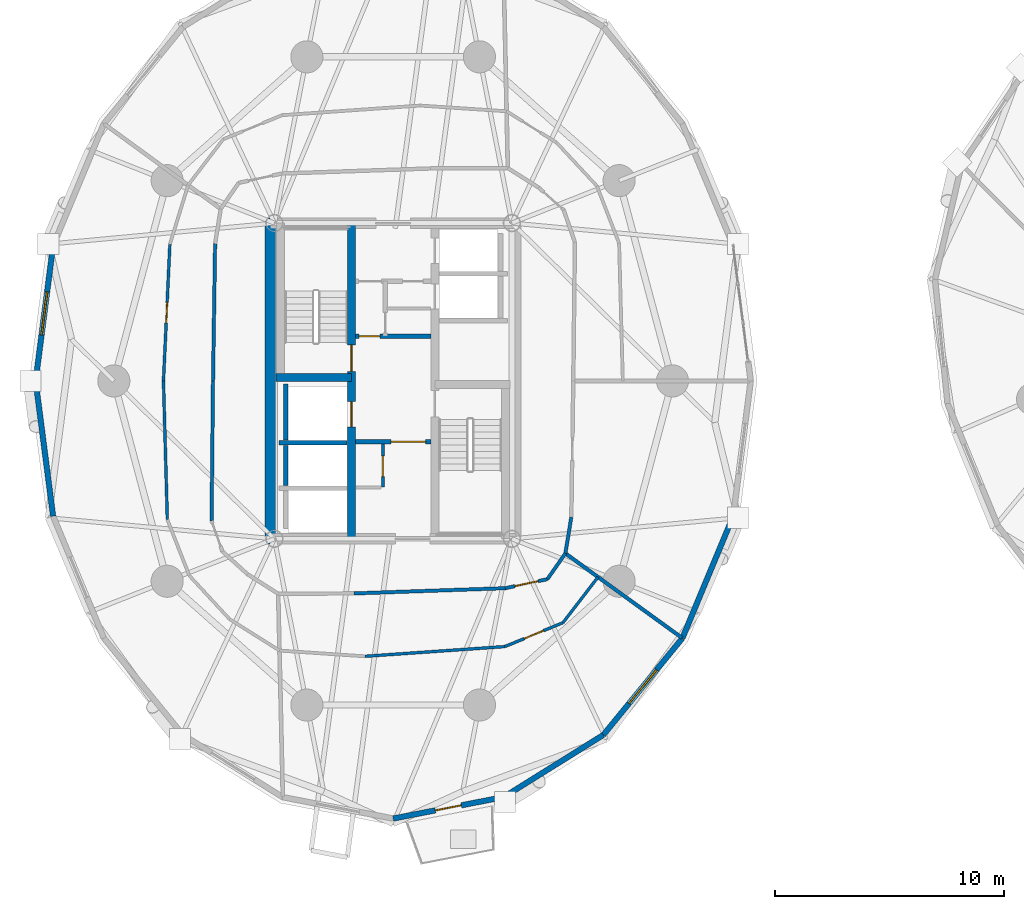
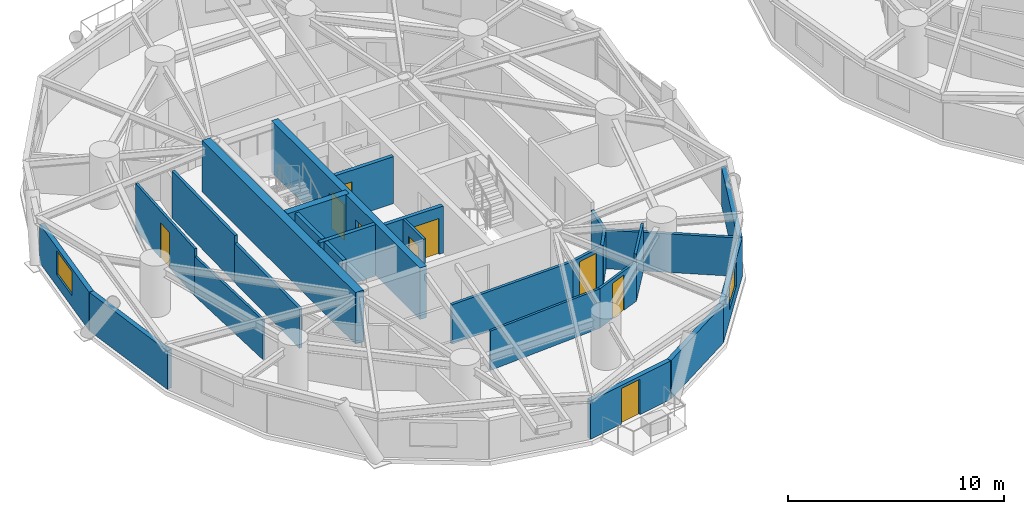
# One storey, part 10 of 18: 27 walls, 9 doors, 2 windows, 11 openings.
"""IFC4 building model written with IfcOpenShell, lengths in metres."""

from ifc_helpers import new_model, si_unit, direction, frame, frame_2d, origin, place, context, subcontext, project, spatial, rectangle, extrude, source, transform, mapped, material, layer, layer_set, type_object, element, fill, save


model = new_model("IFC4")

# Units and contexts
model_context = context("Model", 3, precision=1e-05, world=origin(), true_north=direction((0.0, 1.0)))
body_context = subcontext(model_context, "Body", "Model", "MODEL_VIEW")
ifc_project = project(units=[si_unit("LENGTHUNIT", "METRE"), si_unit("AREAUNIT", "SQUARE_METRE"), si_unit("VOLUMEUNIT", "CUBIC_METRE"), si_unit("PLANEANGLEUNIT", "RADIAN"), si_unit("MASSUNIT", "GRAM", prefix="KILO")], contexts=[model_context])

# Site, building, storey
site_placement = place(None, origin())
site = spatial("IfcSite", under=ifc_project, at=site_placement, CompositionType="ELEMENT")
building_placement = place(site_placement, origin())
building = spatial("IfcBuilding", under=site, at=building_placement, Name="Cununo Teusaquillo Station Towers", CompositionType="ELEMENT")
storey_placement = place(building_placement, frame((0.0, 0.0, 93.429931640625)))
storey = spatial("IfcBuildingStorey", under=building, at=storey_placement, Name="L29", CompositionType="ELEMENT", Elevation=93.429931640625)

# Walls
ifc_material_1 = material(Name="Concrete C50/60", Category="concrete")
ifc_layer_1 = layer(ifc_material_1, 0.199951171875)
ifc_layer_set_1 = layer_set([ifc_layer_1], Name="Concrete C50/60")
wall_type_1 = type_object("IfcWallType", Name="WL-CORE-200", PredefinedType="SHEAR", material=ifc_layer_set_1)
wall_1_placement = place(storey_placement, frame((11.52001953125, 21.800048828125, 0.0), z_axis=(0.0, 0.0, 1.0), x_axis=(1.0, 0.0, 0.0)))
element("IfcWall", 1, at=wall_1_placement, inside=storey, type_object=wall_type_1, Name="L29 Tower A Firefighting Lift Shaft South Shear Wall", PredefinedType="SHEAR", context=body_context, shape_type="SweptSolid", body=[
    extrude(rectangle(XDim=2.969970703125, YDim=0.199951171875, at=frame_2d((1.48486328125, 0.0))), origin(), (0.0, 0.0, 1.0), 2.91015625),
])
wall_2_placement = place(storey_placement, frame((11.820068359375, 21.919921875, 0.0), z_axis=(0.0, 0.0, 1.0), x_axis=(0.0, 1.0, 0.0)))
element("IfcWall", 2, at=wall_2_placement, inside=storey, type_object=wall_type_1, Name="L29 Tower A Firefighting Lift Shaft Rear Shear Wall", PredefinedType="SHEAR", context=body_context, shape_type="SweptSolid", body=[
    extrude(rectangle(XDim=2.440185546875, YDim=0.199951171875, at=frame_2d((1.22021484375, 0.0))), origin(), (0.0, 0.0, 1.0), 2.91015625),
])
wall_3_placement = place(storey_placement, frame((11.820068359375, 19.945068359375, 0.0), z_axis=(0.0, 0.0, 1.0), x_axis=(0.0, 1.0, 0.0)))
element("IfcWall", 3, at=wall_3_placement, inside=storey, type_object=wall_type_1, Name="L29 Tower A High-Rise Lift 2 Shaft Rear Shear Wall", PredefinedType="SHEAR", context=body_context, shape_type="SweptSolid", body=[
    extrude(rectangle(XDim=1.73486328125, YDim=0.199951171875, at=frame_2d((0.867431640625, 0.0))), origin(), (0.0, 0.0, 1.0), 2.91015625),
])

# Wall, openings, doors
ifc_material_2 = material(Name="Concrete C50/60", Category="concrete")
ifc_layer_2 = layer(ifc_material_2, 0.35009765625)
ifc_layer_set_2 = layer_set([ifc_layer_2], Name="Concrete C50/60")
wall_type_2 = type_object("IfcWallType", Name="WL-CORE-350", PredefinedType="SHEAR", material=ifc_layer_set_2)
wall_4_placement = place(storey_placement, frame((14.68505859375, 17.625, 0.0), z_axis=(0.0, 0.0, 1.0), x_axis=(0.0, 1.0, 0.0)))
wall_4 = element("IfcWall", 4, at=wall_4_placement, inside=storey, type_object=wall_type_2, Name="L29 Tower A Core Shear Wall IW", PredefinedType="SHEAR", context=body_context, shape_type="SweptSolid", body=[
    extrude(rectangle(XDim=13.75, YDim=0.35009765625, at=frame_2d((6.875, 0.0))), origin(), (0.0, 0.0, 1.0), 2.91015625),
])
shared_shape_1 = source(origin(), body_context, "Body", "SweptSolid", [
    extrude(rectangle(XDim=1.10009765625, YDim=2.014892578125, at=frame_2d((0.550048828125, 1.00732421875))), frame((0.0, 0.18505859375, 0.0), z_axis=(0.0, -1.0, 0.0), x_axis=(1.0, 0.0, 0.0)), (0.0, 0.0, 1.0), 0.3701171875),
])
opening_1_placement = place(wall_4_placement, frame((4.875, 0.0, 0.0)))
opening_1 = element("IfcOpeningElement", 5, at=opening_1_placement, cuts=wall_4, Name="Opening LD-01", PredefinedType="OPENING", context=body_context, shape_type="MappedRepresentation", body=[
    mapped(shared_shape_1, transform((0.0, 0.0, 0.0), x_axis=(1.0, 0.0, 0.0), y_axis=(0.0, 1.0, 0.0), z_axis=(0.0, 0.0, 1.0), scale=1.0)),
])
shared_shape_2 = source(origin(), body_context, "Body", "SweptSolid", [
    extrude(rectangle(XDim=1.14990234375, YDim=2.02001953125, at=frame_2d((0.574951171875, 1.010009765625))), frame((0.0, 0.18505859375, 0.0), z_axis=(0.0, -1.0, 0.0), x_axis=(1.0, 0.0, 0.0)), (0.0, 0.0, 1.0), 0.3701171875),
])
opening_2_placement = place(wall_4_placement, frame((7.294921875, 0.0, 0.0)))
opening_2 = element("IfcOpeningElement", 6, at=opening_2_placement, cuts=wall_4, Name="Opening D-ST1", PredefinedType="OPENING", context=body_context, shape_type="MappedRepresentation", body=[
    mapped(shared_shape_2, transform((0.0, 0.0, 0.0), x_axis=(1.0, 0.0, 0.0), y_axis=(0.0, 1.0, 0.0), z_axis=(0.0, 0.0, 1.0), scale=1.0)),
])
ifc_material_3 = material(Name="Galvanised fire-rated hollow steel door assembly", Category="steel")
door_type_1 = type_object("IfcDoorType", Name="DR-LIFT-1100", OperationType="SLIDING_TO_LEFT", PredefinedType="DOOR", material=ifc_material_3)
shared_shape_3 = source(origin(), body_context, "Body", "SweptSolid", [
    extrude(rectangle(XDim=1.10009765625, YDim=2.014892578125, at=frame_2d((0.550048828125, 1.00732421875))), frame((0.0, 0.02490234375, 0.0), z_axis=(0.0, -1.0, 0.0), x_axis=(1.0, 0.0, 0.0)), (0.0, 0.0, 1.0), 0.050048828125),
])
door_1_placement = place(opening_1_placement, origin())
door_1 = element("IfcDoor", 7, at=door_1_placement, inside=storey, type_object=door_type_1, Name="L29 Lift FL-T1 Sliding Landing Door", OperationType="SLIDING_TO_RIGHT", OverallHeight=2.014892578125, OverallWidth=1.10009765625, PredefinedType="DOOR", context=body_context, shape_type="MappedRepresentation", body=[
    mapped(shared_shape_3, transform((0.0, 0.0, 0.0), x_axis=(1.0, 0.0, 0.0), y_axis=(0.0, 1.0, 0.0), z_axis=(0.0, 0.0, 1.0), scale=1.0)),
])
fill(opening_1, door_1)
ifc_material_4 = material(Name="Galvanised fire-rated hollow steel door assembly", Category="steel")
door_type_2 = type_object("IfcDoorType", Name="DR-STAIR-1150", OperationType="NOTDEFINED", PredefinedType="DOOR", material=ifc_material_4)
shared_shape_4 = source(origin(), body_context, "Body", "SweptSolid", [
    extrude(rectangle(XDim=1.14990234375, YDim=2.02001953125, at=frame_2d((0.574951171875, 1.010009765625))), frame((0.0, 0.02490234375, 0.0), z_axis=(0.0, -1.0, 0.0), x_axis=(1.0, 0.0, 0.0)), (0.0, 0.0, 1.0), 0.050048828125),
])
door_2_placement = place(opening_2_placement, origin())
door_2 = element("IfcDoor", 8, at=door_2_placement, inside=storey, type_object=door_type_2, Name="L29 Tower A Exit Stair 1 Fire Door", OperationType="SINGLE_SWING_LEFT", OverallHeight=2.02001953125, OverallWidth=1.14990234375, PredefinedType="DOOR", context=body_context, shape_type="MappedRepresentation", body=[
    mapped(shared_shape_4, transform((0.0, 0.0, 0.0), x_axis=(1.0, 0.0, 0.0), y_axis=(0.0, 1.0, 0.0), z_axis=(0.0, 0.0, 1.0), scale=1.0)),
])
fill(opening_2, door_2)

# Walls
wall_5_placement = place(storey_placement, frame((11.39990234375, 24.655029296875, 0.0), z_axis=(0.0, 0.0, 1.0), x_axis=(1.0, 0.0, 0.0)))
element("IfcWall", 9, at=wall_5_placement, inside=storey, type_object=wall_type_2, Name="L29 Tower A Core Shear Wall ST1S", PredefinedType="SHEAR", context=body_context, shape_type="SweptSolid", body=[
    extrude(rectangle(XDim=3.28515625, YDim=0.35009765625, at=frame_2d((1.642578125, 0.0))), origin(), (0.0, 0.0, 1.0), 2.91015625),
])
ifc_material_5 = material(Name="Concrete C60/75", Category="concrete")
ifc_layer_3 = layer(ifc_material_5, 0.449951171875)
ifc_layer_set_3 = layer_set([ifc_layer_3], Name="Concrete C60/75")
wall_type_3 = type_object("IfcWallType", Name="WL-CORE-450", PredefinedType="SHEAR", material=ifc_layer_set_3)
wall_6_placement = place(storey_placement, frame((11.14990234375, 17.39990234375, 0.0), z_axis=(0.0, 0.0, 1.0), x_axis=(0.0, 1.0, 0.0)))
element("IfcWall", 10, at=wall_6_placement, inside=storey, type_object=wall_type_3, Name="L29 Tower A Core Shear Wall W", PredefinedType="SHEAR", context=body_context, shape_type="SweptSolid", body=[
    extrude(rectangle(XDim=14.2001953125, YDim=0.449951171875, at=frame_2d((7.10009765625, 0.0))), origin(), (0.0, 0.0, 1.0), 2.91015625),
])

# Wall, opening, window
ifc_material_6 = material(Name="Precast concrete C40/50", Category="concrete")
ifc_layer_4 = layer(ifc_material_6, 0.239990234375)
ifc_layer_set_4 = layer_set([ifc_layer_4], Name="Precast concrete C40/50")
wall_type_4 = type_object("IfcWallType", Name="WL-EXT-240", PredefinedType="SOLIDWALL", material=ifc_layer_set_4)
wall_7_placement = place(storey_placement, frame((0.9189453125, 24.5, 0.0), z_axis=(0.0, 0.0, 1.0), x_axis=(0.128351991996, 0.991728675672, 0.0)))
wall_7 = element("IfcWall", 11, at=wall_7_placement, inside=storey, type_object=wall_type_4, Name="L29 Tower A Exterior Facade Wall C09", PredefinedType="SOLIDWALL", context=body_context, shape_type="SweptSolid", body=[
    extrude(rectangle(XDim=5.942138671875, YDim=0.239990234375, at=frame_2d((2.97119140625, 0.0))), origin(), (0.0, 0.0, 1.0), 2.178955078125),
])
shared_shape_5 = source(origin(), body_context, "Body", "SweptSolid", [
    extrude(rectangle(XDim=1.89990234375, YDim=1.35009765625, at=frame_2d((0.949951171875, 0.675048828125))), frame((0.0, 0.1298828125, 0.0), z_axis=(0.0, -1.0, 0.0), x_axis=(1.0, 0.0, 0.0)), (0.0, 0.0, 1.0), 0.260009765625),
])
opening_3_placement = place(wall_7_placement, frame((2.02099609375, 0.0, 0.64990234375)))
opening_3 = element("IfcOpeningElement", 12, at=opening_3_placement, cuts=wall_7, Name="Opening WN-02", PredefinedType="OPENING", context=body_context, shape_type="MappedRepresentation", body=[
    mapped(shared_shape_5, transform((0.0, 0.0, 0.0), x_axis=(1.0, 0.0, 0.0), y_axis=(0.0, 1.0, 0.0), z_axis=(0.0, 0.0, 1.0), scale=1.0)),
])
ifc_material_7 = material(Name="Operable acoustic tinted low-E double glazing", Category="glass")
window_type = type_object("IfcWindowType", Name="WIN-OPER-1900", PartitioningType="DOUBLE_PANEL_VERTICAL", PredefinedType="WINDOW", material=ifc_material_7)
shared_shape_6 = source(origin(), body_context, "Body", "SweptSolid", [
    extrude(rectangle(XDim=1.89990234375, YDim=1.35009765625, at=frame_2d((0.949951171875, 0.675048828125))), frame((0.0, 0.030029296875, 0.0), z_axis=(0.0, -1.0, 0.0), x_axis=(1.0, 0.0, 0.0)), (0.0, 0.0, 1.0), 0.06005859375),
])
window_1_placement = place(opening_3_placement, origin())
window_1 = element("IfcWindow", 13, at=window_1_placement, inside=storey, type_object=window_type, Name="L29 Tower A Facade Window C09", OverallHeight=1.35009765625, OverallWidth=1.89990234375, PartitioningType="DOUBLE_PANEL_VERTICAL", PredefinedType="WINDOW", context=body_context, shape_type="MappedRepresentation", body=[
    mapped(shared_shape_6, transform((0.0, 0.0, 0.0), x_axis=(1.0, 0.0, 0.0), y_axis=(0.0, 1.0, 0.0), z_axis=(0.0, 0.0, 1.0), scale=1.0)),
])
fill(opening_3, window_1)

# Wall
wall_8_placement = place(storey_placement, frame((1.681640625, 18.60693359375, 0.0), z_axis=(0.0, 0.0, 1.0), x_axis=(-0.128351991996, 0.991728675672, 0.0)))
element("IfcWall", 14, at=wall_8_placement, inside=storey, type_object=wall_type_4, Name="L29 Tower A Exterior Facade Wall C10", PredefinedType="SOLIDWALL", context=body_context, shape_type="SweptSolid", body=[
    extrude(rectangle(XDim=5.942138671875, YDim=0.239990234375, at=frame_2d((2.97119140625, 0.0))), origin(), (0.0, 0.0, 1.0), 2.178955078125),
])

# Wall, opening, door
wall_9_placement = place(storey_placement, frame((21.314697265625, 6.36328125, 0.0), z_axis=(0.0, 0.0, 1.0), x_axis=(-0.981723785992, -0.190311344954, 0.0)))
wall_9 = element("IfcWall", 15, at=wall_9_placement, inside=storey, type_object=wall_type_4, Name="L29 Tower A Exterior Facade Wall C15", PredefinedType="SOLIDWALL", context=body_context, shape_type="SweptSolid", body=[
    extrude(rectangle(XDim=4.904296875, YDim=0.239990234375, at=frame_2d((2.4521484375, 0.0))), origin(), (0.0, 0.0, 1.0), 2.178955078125),
])
shared_shape_7 = source(origin(), body_context, "Body", "SweptSolid", [
    extrude(rectangle(XDim=1.14990234375, YDim=2.0048828125, at=frame_2d((0.574951171875, 1.00244140625))), frame((0.0, 0.1298828125, 0.0), z_axis=(0.0, -1.0, 0.0), x_axis=(1.0, 0.0, 0.0)), (0.0, 0.0, 1.0), 0.260009765625),
])
opening_4_placement = place(wall_9_placement, frame((1.876953125, 0.0, 0.0)))
opening_4 = element("IfcOpeningElement", 16, at=opening_4_placement, cuts=wall_9, Name="Opening ED-03", PredefinedType="OPENING", context=body_context, shape_type="MappedRepresentation", body=[
    mapped(shared_shape_7, transform((0.0, 0.0, 0.0), x_axis=(1.0, 0.0, 0.0), y_axis=(0.0, 1.0, 0.0), z_axis=(0.0, 0.0, 1.0), scale=1.0)),
])
ifc_material_8 = material(Name="Anodised dark bronze aluminium EN AW-6063-T6", Category="aluminium")
door_type_3 = type_object("IfcDoorType", Name="DR-EXT-BAL", OperationType="NOTDEFINED", PredefinedType="DOOR", material=ifc_material_8)
shared_shape_8 = source(origin(), body_context, "Body", "SweptSolid", [
    extrude(rectangle(XDim=1.14990234375, YDim=2.0048828125, at=frame_2d((0.574951171875, 1.00244140625))), frame((0.0, 0.02490234375, 0.0), z_axis=(0.0, -1.0, 0.0), x_axis=(1.0, 0.0, 0.0)), (0.0, 0.0, 1.0), 0.050048828125),
])
door_3_placement = place(opening_4_placement, origin())
door_3 = element("IfcDoor", 17, at=door_3_placement, inside=storey, type_object=door_type_3, Name="L29 Tower A Tree Balcony Door C15", OperationType="SINGLE_SWING_LEFT", OverallHeight=2.0048828125, OverallWidth=1.14990234375, PredefinedType="DOOR", context=body_context, shape_type="MappedRepresentation", body=[
    mapped(shared_shape_8, transform((0.0, 0.0, 0.0), x_axis=(1.0, 0.0, 0.0), y_axis=(0.0, 1.0, 0.0), z_axis=(0.0, 0.0, 1.0), scale=1.0)),
])
fill(opening_4, door_3)

# Wall
wall_10_placement = place(storey_placement, frame((25.658203125, 9.072021484375, 0.0), z_axis=(0.0, 0.0, 1.0), x_axis=(-0.848520380187, -0.529162701263, 0.0)))
element("IfcWall", 18, at=wall_10_placement, inside=storey, type_object=wall_type_4, Name="L29 Tower A Exterior Facade Wall C16", PredefinedType="SOLIDWALL", context=body_context, shape_type="SweptSolid", body=[
    extrude(rectangle(XDim=5.118896484375, YDim=0.239990234375, at=frame_2d((2.5595703125, 0.0))), origin(), (0.0, 0.0, 1.0), 2.178955078125),
])

# Wall, opening, window
wall_11_placement = place(storey_placement, frame((29.105224609375, 13.291015625, 0.0), z_axis=(0.0, 0.0, 1.0), x_axis=(-0.632700781152, -0.77439635945, 0.0)))
wall_11 = element("IfcWall", 19, at=wall_11_placement, inside=storey, type_object=wall_type_4, Name="L29 Tower A Exterior Facade Wall C17", PredefinedType="SOLIDWALL", context=body_context, shape_type="SweptSolid", body=[
    extrude(rectangle(XDim=5.447998046875, YDim=0.239990234375, at=frame_2d((2.72412109375, 0.0))), origin(), (0.0, 0.0, 1.0), 2.178955078125),
])
opening_5_placement = place(wall_11_placement, frame((1.77392578125, 0.0, 0.64990234375)))
opening_5 = element("IfcOpeningElement", 20, at=opening_5_placement, cuts=wall_11, Name="Opening WN-02", PredefinedType="OPENING", context=body_context, shape_type="MappedRepresentation", body=[
    mapped(shared_shape_5, transform((0.0, 0.0, 0.0), x_axis=(1.0, 0.0, 0.0), y_axis=(0.0, 1.0, 0.0), z_axis=(0.0, 0.0, 1.0), scale=1.0)),
])
window_2_placement = place(opening_5_placement, origin())
window_2 = element("IfcWindow", 21, at=window_2_placement, inside=storey, type_object=window_type, Name="L29 Tower A Facade Window C17", OverallHeight=1.35009765625, OverallWidth=1.89990234375, PartitioningType="DOUBLE_PANEL_VERTICAL", PredefinedType="WINDOW", context=body_context, shape_type="MappedRepresentation", body=[
    mapped(shared_shape_6, transform((0.0, 0.0, 0.0), x_axis=(1.0, 0.0, 0.0), y_axis=(0.0, 1.0, 0.0), z_axis=(0.0, 0.0, 1.0), scale=1.0)),
])
fill(opening_5, window_2)

# Wall
wall_12_placement = place(storey_placement, frame((31.318359375, 18.60693359375, 0.0), z_axis=(0.0, 0.0, 1.0), x_axis=(-0.384344417632, -0.923189779317, 0.0)))
element("IfcWall", 22, at=wall_12_placement, inside=storey, type_object=wall_type_4, Name="L29 Tower A Exterior Facade Wall C18", PredefinedType="SOLIDWALL", context=body_context, shape_type="SweptSolid", body=[
    extrude(rectangle(XDim=5.75830078125, YDim=0.239990234375, at=frame_2d((2.879150390625, 0.0))), origin(), (0.0, 0.0, 1.0), 2.178955078125),
])

# Wall, opening, door
ifc_material_9 = material(Name="Fire-rated gypsum plasterboard partition assembly", Category="gypsum")
ifc_layer_5 = layer(ifc_material_9, 0.125)
ifc_layer_set_5 = layer_set([ifc_layer_5], Name="Fire-rated gypsum plasterboard partition assembly")
wall_type_5 = type_object("IfcWallType", Name="WL-PART-125", PredefinedType="PARTITIONING", material=ifc_layer_set_5)
wall_13_placement = place(storey_placement, frame((16.050048828125, 19.8798828125, 0.0), z_axis=(0.0, 0.0, 1.0), x_axis=(0.0, 1.0, 0.0)))
wall_13 = element("IfcWall", 23, at=wall_13_placement, inside=storey, type_object=wall_type_5, Name="L29 Tower A North-West Lobby Store East Wall", PredefinedType="PARTITIONING", context=body_context, shape_type="SweptSolid", body=[
    extrude(rectangle(XDim=1.8701171875, YDim=0.125, at=frame_2d((0.93505859375, 0.0))), origin(), (0.0, 0.0, 1.0), 2.655029296875),
])
shared_shape_9 = source(origin(), body_context, "Body", "SweptSolid", [
    extrude(rectangle(XDim=0.89990234375, YDim=2.0048828125, at=frame_2d((0.449951171875, 1.00244140625))), frame((0.0, 0.072509765625, 0.0), z_axis=(0.0, -1.0, 0.0), x_axis=(1.0, 0.0, 0.0)), (0.0, 0.0, 1.0), 0.14501953125),
])
opening_6_placement = place(wall_13_placement, frame((0.449951171875, 0.0, 0.0)))
opening_6 = element("IfcOpeningElement", 24, at=opening_6_placement, cuts=wall_13, Name="Opening D-SR1", PredefinedType="OPENING", context=body_context, shape_type="MappedRepresentation", body=[
    mapped(shared_shape_9, transform((0.0, 0.0, 0.0), x_axis=(1.0, 0.0, 0.0), y_axis=(0.0, 1.0, 0.0), z_axis=(0.0, 0.0, 1.0), scale=1.0)),
])
ifc_material_10 = material(Name="Galvanised fire-rated hollow steel door assembly", Category="steel")
door_type_4 = type_object("IfcDoorType", Name="DR-STORE-900", OperationType="NOTDEFINED", PredefinedType="DOOR", material=ifc_material_10)
shared_shape_10 = source(origin(), body_context, "Body", "SweptSolid", [
    extrude(rectangle(XDim=0.89990234375, YDim=2.0048828125, at=frame_2d((0.449951171875, 1.00244140625))), frame((0.0, 0.02490234375, 0.0), z_axis=(0.0, -1.0, 0.0), x_axis=(1.0, 0.0, 0.0)), (0.0, 0.0, 1.0), 0.050048828125),
])
door_4_placement = place(opening_6_placement, origin())
door_4 = element("IfcDoor", 25, at=door_4_placement, inside=storey, type_object=door_type_4, Name="L29 Tower A South Lobby Data Store Door", OperationType="SINGLE_SWING_LEFT", OverallHeight=2.0048828125, OverallWidth=0.89990234375, PredefinedType="DOOR", context=body_context, shape_type="MappedRepresentation", body=[
    mapped(shared_shape_10, transform((0.0, 0.0, 0.0), x_axis=(1.0, 0.0, 0.0), y_axis=(0.0, 1.0, 0.0), z_axis=(0.0, 0.0, 1.0), scale=1.0)),
])
fill(opening_6, door_4)

wall_14_placement = place(storey_placement, frame((6.770263671875, 30.453125, 0.0), z_axis=(0.0, 0.0, 1.0), x_axis=(-0.046864461883, -0.998901257489, 0.0)))
wall_14 = element("IfcWall", 26, at=wall_14_placement, inside=storey, type_object=wall_type_5, Name="L29 Tower A Client Demo Briefing Gallery Concentric Partition Wall C09", PredefinedType="PARTITIONING", context=body_context, shape_type="SweptSolid", body=[
    extrude(rectangle(XDim=5.959716796875, YDim=0.125, at=frame_2d((2.97998046875, 0.0))), origin(), (0.0, 0.0, 1.0), 2.655029296875),
])
opening_7_placement = place(wall_14_placement, frame((2.52978515625, 0.0, 0.0)))
opening_7 = element("IfcOpeningElement", 27, at=opening_7_placement, cuts=wall_14, Name="Opening D-IN1", PredefinedType="OPENING", context=body_context, shape_type="MappedRepresentation", body=[
    mapped(shared_shape_9, transform((0.0, 0.0, 0.0), x_axis=(1.0, 0.0, 0.0), y_axis=(0.0, 1.0, 0.0), z_axis=(0.0, 0.0, 1.0), scale=1.0)),
])
ifc_material_11 = material(Name="Acoustic solid-core hardwood leaf assembly", Category="wood")
door_type_5 = type_object("IfcDoorType", Name="DR-INT-900", OperationType="NOTDEFINED", PredefinedType="DOOR", material=ifc_material_11)
door_5_placement = place(opening_7_placement, origin())
door_5 = element("IfcDoor", 28, at=door_5_placement, inside=storey, type_object=door_type_5, Name="L29 Tower A Client Demo Briefing Gallery Connecting Door", OperationType="SINGLE_SWING_LEFT", OverallHeight=2.0048828125, OverallWidth=0.89990234375, PredefinedType="DOOR", context=body_context, shape_type="MappedRepresentation", body=[
    mapped(shared_shape_10, transform((0.0, 0.0, 0.0), x_axis=(1.0, 0.0, 0.0), y_axis=(0.0, 1.0, 0.0), z_axis=(0.0, 0.0, 1.0), scale=1.0)),
])
fill(opening_7, door_5)

# Walls
wall_15_placement = place(storey_placement, frame((6.490966796875, 24.5, 0.0), z_axis=(0.0, 0.0, 1.0), x_axis=(0.027808577393, -0.99961326673, 0.0)))
element("IfcWall", 29, at=wall_15_placement, inside=storey, type_object=wall_type_5, Name="L29 Tower A Client Demo Briefing Gallery Concentric Partition Wall C10", PredefinedType="PARTITIONING", context=body_context, shape_type="SweptSolid", body=[
    extrude(rectangle(XDim=6.040283203125, YDim=0.125, at=frame_2d((3.02001953125, 0.0))), origin(), (0.0, 0.0, 1.0), 2.22509765625),
])
wall_16_placement = place(storey_placement, frame((15.27001953125, 12.499267578125, 0.0), z_axis=(0.0, 0.0, 1.0), x_axis=(0.997586055533, 0.069441067147, 0.0)))
element("IfcWall", 30, at=wall_16_placement, inside=storey, type_object=wall_type_5, Name="L29 Tower A Staff Espresso & Pantry Lounge Concentric Partition Wall C15", PredefinedType="PARTITIONING", context=body_context, shape_type="SweptSolid", body=[
    extrude(rectangle(XDim=6.1103515625, YDim=0.125, at=frame_2d((3.05517578125, 0.0))), origin(), (0.0, 0.0, 1.0), 2.22509765625),
])

# Wall, opening, door
wall_17_placement = place(storey_placement, frame((21.36572265625, 12.923583984375, 0.0), z_axis=(0.0, 0.0, 1.0), x_axis=(0.924996898971, 0.379974652962, 0.0)))
wall_17 = element("IfcWall", 31, at=wall_17_placement, inside=storey, type_object=wall_type_5, Name="L29 Tower A Staff Espresso & Pantry Lounge Concentric Partition Wall C16", PredefinedType="PARTITIONING", context=body_context, shape_type="SweptSolid", body=[
    extrude(rectangle(XDim=2.740966796875, YDim=0.125, at=frame_2d((1.37060546875, 0.0))), origin(), (0.0, 0.0, 1.0), 2.22509765625),
])
opening_8_placement = place(wall_17_placement, frame((0.92041015625, 0.0, 0.0)))
opening_8 = element("IfcOpeningElement", 32, at=opening_8_placement, cuts=wall_17, Name="Opening D-IN1", PredefinedType="OPENING", context=body_context, shape_type="MappedRepresentation", body=[
    mapped(shared_shape_9, transform((0.0, 0.0, 0.0), x_axis=(1.0, 0.0, 0.0), y_axis=(0.0, 1.0, 0.0), z_axis=(0.0, 0.0, 1.0), scale=1.0)),
])
door_6_placement = place(opening_8_placement, origin())
door_6 = element("IfcDoor", 33, at=door_6_placement, inside=storey, type_object=door_type_5, Name="L29 Tower A Staff Espresso & Pantry Lounge Connecting Door", OperationType="SINGLE_SWING_LEFT", OverallHeight=2.0048828125, OverallWidth=0.89990234375, PredefinedType="DOOR", context=body_context, shape_type="MappedRepresentation", body=[
    mapped(shared_shape_10, transform((0.0, 0.0, 0.0), x_axis=(1.0, 0.0, 0.0), y_axis=(0.0, 1.0, 0.0), z_axis=(0.0, 0.0, 1.0), scale=1.0)),
])
fill(opening_8, door_6)

# Walls
wall_18_placement = place(storey_placement, frame((23.901123046875, 13.965087890625, 0.0), z_axis=(0.0, 0.0, 1.0), x_axis=(0.609164923344, 0.793043565113, 0.0)))
element("IfcWall", 34, at=wall_18_placement, inside=storey, type_object=wall_type_5, Name="L29 Tower A Staff Espresso & Pantry Lounge Concentric Partition Wall C17", PredefinedType="PARTITIONING", context=body_context, shape_type="SweptSolid", body=[
    extrude(rectangle(XDim=2.508056640625, YDim=0.125, at=frame_2d((1.25390625, 0.0))), origin(), (0.0, 0.0, 1.0), 2.655029296875),
])
ifc_material_12 = material(Name="Fire-rated gypsum plasterboard partition assembly", Category="gypsum")
ifc_layer_6 = layer(ifc_material_12, 0.14990234375)
ifc_layer_set_6 = layer_set([ifc_layer_6], Name="Fire-rated gypsum plasterboard partition assembly")
wall_type_6 = type_object("IfcWallType", Name="WL-PART-150", PredefinedType="PARTITIONING", material=ifc_layer_set_6)
wall_19_placement = place(storey_placement, frame((8.74169921875, 30.47900390625, 0.0), z_axis=(0.0, 0.0, 1.0), x_axis=(-0.015351396174, -0.999882160375, 0.0)))
element("IfcWall", 35, at=wall_19_placement, inside=storey, type_object=wall_type_6, Name="L29 Tower A Corridor Ring Wall C09", PredefinedType="PARTITIONING", context=body_context, shape_type="SweptSolid", body=[
    extrude(rectangle(XDim=5.979736328125, YDim=0.14990234375, at=frame_2d((2.98974609375, 0.0))), origin(), (0.0, 0.0, 1.0), 2.655029296875),
])
wall_20_placement = place(storey_placement, frame((8.64990234375, 24.5, 0.0), z_axis=(0.0, 0.0, 1.0), x_axis=(-0.010250943023, -0.999947457703, 0.0)))
element("IfcWall", 36, at=wall_20_placement, inside=storey, type_object=wall_type_6, Name="L29 Tower A Corridor Ring Wall C10", PredefinedType="PARTITIONING", context=body_context, shape_type="SweptSolid", body=[
    extrude(rectangle(XDim=6.096923828125, YDim=0.14990234375, at=frame_2d((3.04833984375, 0.0))), origin(), (0.0, 0.0, 1.0), 2.22509765625),
])
wall_21_placement = place(storey_placement, frame((14.791748046875, 15.240478515625, 0.0), z_axis=(0.0, 0.0, 1.0), x_axis=(0.999408106202, 0.034401122909, 0.0)))
element("IfcWall", 37, at=wall_21_placement, inside=storey, type_object=wall_type_6, Name="L29 Tower A Corridor Ring Wall C15", PredefinedType="PARTITIONING", context=body_context, shape_type="SweptSolid", body=[
    extrude(rectangle(XDim=6.60009765625, YDim=0.14990234375, at=frame_2d((3.300048828125, 0.0))), origin(), (0.0, 0.0, 1.0), 2.22509765625),
])

# Wall, opening, door
wall_22_placement = place(storey_placement, frame((21.387939453125, 15.467529296875, 0.0), z_axis=(0.0, 0.0, 1.0), x_axis=(0.977672748596, 0.210133283069, 0.0)))
wall_22 = element("IfcWall", 38, at=wall_22_placement, inside=storey, type_object=wall_type_6, Name="L29 Tower A Corridor Ring Wall C16", PredefinedType="PARTITIONING", context=body_context, shape_type="SweptSolid", body=[
    extrude(rectangle(XDim=1.87646484375, YDim=0.14990234375, at=frame_2d((0.938232421875, 0.0))), origin(), (0.0, 0.0, 1.0), 2.22509765625),
])
shared_shape_11 = source(origin(), body_context, "Body", "SweptSolid", [
    extrude(rectangle(XDim=1.050048828125, YDim=2.014892578125, at=frame_2d((0.52490234375, 1.00732421875))), frame((0.0, 0.0849609375, 0.0), z_axis=(0.0, -1.0, 0.0), x_axis=(1.0, 0.0, 0.0)), (0.0, 0.0, 1.0), 0.169921875),
])
opening_9_placement = place(wall_22_placement, frame((0.4130859375, 0.0, 0.0)))
opening_9 = element("IfcOpeningElement", 39, at=opening_9_placement, cuts=wall_22, Name="Opening D-SU1", PredefinedType="OPENING", context=body_context, shape_type="MappedRepresentation", body=[
    mapped(shared_shape_11, transform((0.0, 0.0, 0.0), x_axis=(1.0, 0.0, 0.0), y_axis=(0.0, 1.0, 0.0), z_axis=(0.0, 0.0, 1.0), scale=1.0)),
])
ifc_material_13 = material(Name="Acoustic solid-core hardwood leaf assembly", Category="wood")
door_type_6 = type_object("IfcDoorType", Name="DR-SUITE-1050", OperationType="NOTDEFINED", PredefinedType="DOOR", material=ifc_material_13)
shared_shape_12 = source(origin(), body_context, "Body", "SweptSolid", [
    extrude(rectangle(XDim=1.050048828125, YDim=2.014892578125, at=frame_2d((0.52490234375, 1.00732421875))), frame((0.0, 0.02490234375, 0.0), z_axis=(0.0, -1.0, 0.0), x_axis=(1.0, 0.0, 0.0)), (0.0, 0.0, 1.0), 0.050048828125),
])
door_7_placement = place(opening_9_placement, origin())
door_7 = element("IfcDoor", 40, at=door_7_placement, inside=storey, type_object=door_type_6, Name="L29 Tower A Staff Espresso & Pantry Lounge Entrance Door", OperationType="SINGLE_SWING_RIGHT", OverallHeight=2.014892578125, OverallWidth=1.050048828125, PredefinedType="DOOR", context=body_context, shape_type="MappedRepresentation", body=[
    mapped(shared_shape_12, transform((0.0, 0.0, 0.0), x_axis=(1.0, 0.0, 0.0), y_axis=(0.0, 1.0, 0.0), z_axis=(0.0, 0.0, 1.0), scale=1.0)),
])
fill(opening_9, door_7)

# Walls
wall_23_placement = place(storey_placement, frame((23.222412109375, 15.86181640625, 0.0), z_axis=(0.0, 0.0, 1.0), x_axis=(0.571941738195, 0.820294244836, 0.0)))
element("IfcWall", 41, at=wall_23_placement, inside=storey, type_object=wall_type_6, Name="L29 Tower A Corridor Ring Wall C17", PredefinedType="PARTITIONING", context=body_context, shape_type="SweptSolid", body=[
    extrude(rectangle(XDim=1.369384765625, YDim=0.14990234375, at=frame_2d((0.6845703125, 0.0))), origin(), (0.0, 0.0, 1.0), 2.22509765625),
])
wall_24_placement = place(storey_placement, frame((24.005615234375, 16.985107421875, 0.0), z_axis=(0.0, 0.0, 1.0), x_axis=(0.162043475877, 0.986783619608, 0.0)))
element("IfcWall", 42, at=wall_24_placement, inside=storey, type_object=wall_type_6, Name="L29 Tower A Corridor Ring Wall C18", PredefinedType="PARTITIONING", context=body_context, shape_type="SweptSolid", body=[
    extrude(rectangle(XDim=1.596923828125, YDim=0.14990234375, at=frame_2d((0.79833984375, 0.0))), origin(), (0.0, 0.0, 1.0), 2.22509765625),
])
ifc_material_14 = material(Name="Fire-rated gypsum plasterboard partition assembly", Category="gypsum")
ifc_layer_7 = layer(ifc_material_14, 0.159912109375)
ifc_layer_set_7 = layer_set([ifc_layer_7], Name="Fire-rated gypsum plasterboard partition assembly")
wall_type_7 = type_object("IfcWallType", Name="WL-PART-160", PredefinedType="PARTITIONING", material=ifc_layer_set_7)
wall_25_placement = place(storey_placement, frame((24.005615234375, 16.985107421875, 0.0), z_axis=(0.0, 0.0, 1.0), x_axis=(0.809849730791, -0.586637378231, 0.0)))
element("IfcWall", 43, at=wall_25_placement, inside=storey, type_object=wall_type_7, Name="L29 Tower A Radial Suite Partition R05", PredefinedType="PARTITIONING", context=body_context, shape_type="SweptSolid", body=[
    extrude(rectangle(XDim=6.277099609375, YDim=0.159912109375, at=frame_2d((3.138671875, 0.0))), origin(), (0.0, 0.0, 1.0), 2.178955078125),
])

# Wall, opening, door
ifc_material_15 = material(Name="Fire-rated gypsum plasterboard partition assembly", Category="gypsum")
ifc_layer_8 = layer(ifc_material_15, 0.199951171875)
ifc_layer_set_8 = layer_set([ifc_layer_8], Name="Fire-rated gypsum plasterboard partition assembly")
wall_type_8 = type_object("IfcWallType", Name="WL-PART-200", PredefinedType="PARTITIONING", material=ifc_layer_set_8)
wall_26_placement = place(storey_placement, frame((14.860107421875, 21.85009765625, 0.0), z_axis=(0.0, 0.0, 1.0), x_axis=(1.0, 0.0, 0.0)))
wall_26 = element("IfcWall", 44, at=wall_26_placement, inside=storey, type_object=wall_type_8, Name="L29 Tower A Firefighting Lift Lobby South Fire Wall", PredefinedType="PARTITIONING", context=body_context, shape_type="SweptSolid", body=[
    extrude(rectangle(XDim=3.27978515625, YDim=0.199951171875, at=frame_2d((1.639892578125, 0.0))), origin(), (0.0, 0.0, 1.0), 2.655029296875),
])
shared_shape_13 = source(origin(), body_context, "Body", "SweptSolid", [
    extrude(rectangle(XDim=1.5, YDim=2.02001953125, at=frame_2d((0.75, 1.010009765625))), frame((0.0, 0.10986328125, 0.0), z_axis=(0.0, -1.0, 0.0), x_axis=(1.0, 0.0, 0.0)), (0.0, 0.0, 1.0), 0.219970703125),
])
opening_10_placement = place(wall_26_placement, frame((1.550048828125, 0.0, 0.0)))
opening_10 = element("IfcOpeningElement", 45, at=opening_10_placement, cuts=wall_26, Name="Opening D-LB1", PredefinedType="OPENING", context=body_context, shape_type="MappedRepresentation", body=[
    mapped(shared_shape_13, transform((0.0, 0.0, 0.0), x_axis=(1.0, 0.0, 0.0), y_axis=(0.0, 1.0, 0.0), z_axis=(0.0, 0.0, 1.0), scale=1.0)),
])
ifc_material_16 = material(Name="Galvanised fire-rated hollow steel door assembly", Category="steel")
door_type_7 = type_object("IfcDoorType", Name="DR-LOBBY-1500", OperationType="DOUBLE_DOOR_SINGLE_SWING", PredefinedType="DOOR", material=ifc_material_16)
shared_shape_14 = source(origin(), body_context, "Body", "SweptSolid", [
    extrude(rectangle(XDim=1.5, YDim=2.02001953125, at=frame_2d((0.75, 1.010009765625))), frame((0.0, 0.02490234375, 0.0), z_axis=(0.0, -1.0, 0.0), x_axis=(1.0, 0.0, 0.0)), (0.0, 0.0, 1.0), 0.050048828125),
])
door_8_placement = place(opening_10_placement, origin())
door_8 = element("IfcDoor", 46, at=door_8_placement, inside=storey, type_object=door_type_7, Name="L29 Tower A Firefighting Lift Lobby South Fire Door", OperationType="DOUBLE_DOOR_SINGLE_SWING", OverallHeight=2.02001953125, OverallWidth=1.5, PredefinedType="DOOR", context=body_context, shape_type="MappedRepresentation", body=[
    mapped(shared_shape_14, transform((0.0, 0.0, 0.0), x_axis=(1.0, 0.0, 0.0), y_axis=(0.0, 1.0, 0.0), z_axis=(0.0, 0.0, 1.0), scale=1.0)),
])
fill(opening_10, door_8)

wall_27_placement = place(storey_placement, frame((14.860107421875, 26.449951171875, 0.0), z_axis=(0.0, 0.0, 1.0), x_axis=(1.0, 0.0, 0.0)))
wall_27 = element("IfcWall", 47, at=wall_27_placement, inside=storey, type_object=wall_type_8, Name="L29 Tower A Firefighting Lift Lobby North Fire Wall", PredefinedType="PARTITIONING", context=body_context, shape_type="SweptSolid", body=[
    extrude(rectangle(XDim=3.27978515625, YDim=0.199951171875, at=frame_2d((1.639892578125, 0.0))), origin(), (0.0, 0.0, 1.0), 2.655029296875),
])
shared_shape_15 = source(origin(), body_context, "Body", "SweptSolid", [
    extrude(rectangle(XDim=0.89990234375, YDim=2.0048828125, at=frame_2d((0.449951171875, 1.00244140625))), frame((0.0, 0.10986328125, 0.0), z_axis=(0.0, -1.0, 0.0), x_axis=(1.0, 0.0, 0.0)), (0.0, 0.0, 1.0), 0.219970703125),
])
opening_11_placement = place(wall_27_placement, frame((0.159912109375, 0.0, 0.0)))
opening_11 = element("IfcOpeningElement", 48, at=opening_11_placement, cuts=wall_27, Name="Opening D-SR1", PredefinedType="OPENING", context=body_context, shape_type="MappedRepresentation", body=[
    mapped(shared_shape_15, transform((0.0, 0.0, 0.0), x_axis=(1.0, 0.0, 0.0), y_axis=(0.0, 1.0, 0.0), z_axis=(0.0, 0.0, 1.0), scale=1.0)),
])
door_9_placement = place(opening_11_placement, origin())
door_9 = element("IfcDoor", 49, at=door_9_placement, inside=storey, type_object=door_type_4, Name="L29 Tower A Stair 1 Protected Vestibule South Door", OperationType="SINGLE_SWING_LEFT", OverallHeight=2.0048828125, OverallWidth=0.89990234375, PredefinedType="DOOR", context=body_context, shape_type="MappedRepresentation", body=[
    mapped(shared_shape_10, transform((0.0, 0.0, 0.0), x_axis=(1.0, 0.0, 0.0), y_axis=(0.0, 1.0, 0.0), z_axis=(0.0, 0.0, 1.0), scale=1.0)),
])
fill(opening_11, door_9)

save(model, "model.ifc")
